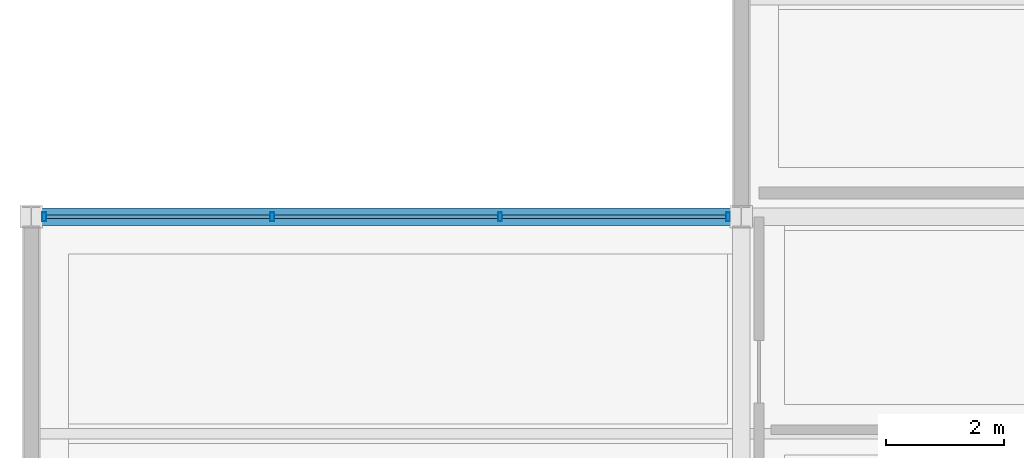
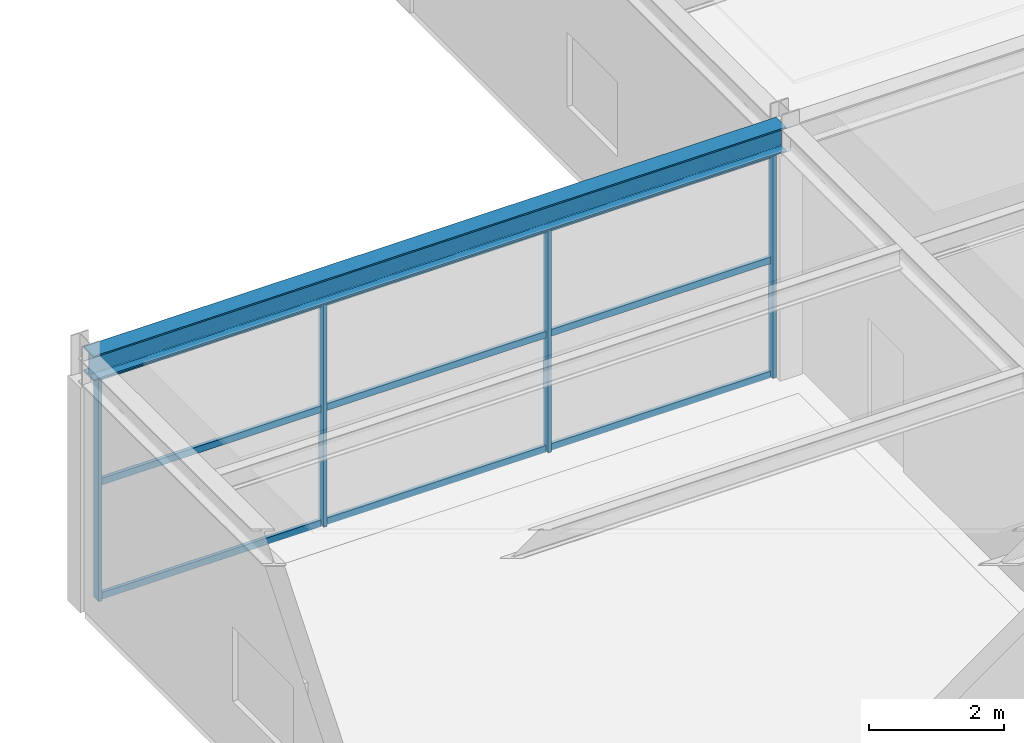
# One storey, part 44 of 100: 13 members, 1 beam, 1 element without a shape of its own.
"""IFC4 building model written with IfcOpenShell, lengths in metres."""

from ifc_helpers import new_model, si_unit, direction, frame, origin, origin_2d, place, context, subcontext, project, spatial, hollow_rectangle, i_section, extrude, material, material_profile, profile_set, type_object, element, aggregate, save


model = new_model("IFC4")

# Units and contexts
model_context = context("Model", 3, precision=1e-05, world=origin(), true_north=direction((0.0, 1.0)))
body_context = subcontext(model_context, "Body", "Model", "MODEL_VIEW")
ifc_project = project(units=[si_unit("LENGTHUNIT", "METRE"), si_unit("AREAUNIT", "SQUARE_METRE"), si_unit("VOLUMEUNIT", "CUBIC_METRE"), si_unit("PLANEANGLEUNIT", "RADIAN"), si_unit("MASSUNIT", "GRAM", prefix="KILO")], contexts=[model_context])

# Site, building, storey
site_placement = place(None, origin())
site = spatial("IfcSite", under=ifc_project, at=site_placement, CompositionType="ELEMENT")
building_placement = place(site_placement, origin())
building = spatial("IfcBuilding", under=site, at=building_placement, Name="Tarnveldt Headland Concert Hall", CompositionType="ELEMENT")
storey_placement = place(building_placement, frame((0.0, 0.0, 4.800048828125)))
storey = spatial("IfcBuildingStorey", under=building, at=storey_placement, Name="L01", CompositionType="ELEMENT", Elevation=4.800048828125)

# Curtain wall, members
ifc_material_1 = material(Name="Marine-anodised aluminium EN AW-6063-T6", Category="aluminium")
curtain_wall_type = type_object("IfcCurtainWallType", Name="CW-R2", PredefinedType="NOTDEFINED", material=ifc_material_1)
curtain_wall_placement = place(storey_placement, origin())
curtain_wall = element("IfcCurtainWall", 1, at=curtain_wall_placement, inside=storey, type_object=curtain_wall_type, Name="Curtain wall CW-L01-180", PredefinedType="NOTDEFINED")
ifc_material_profile_1 = material_profile(ifc_material_1, hollow_rectangle(XDim=0.06005859375, YDim=0.14990234375, WallThickness=0.00390625, at=origin_2d()), Name="ALU MULLION 60x150x4", Category="aluminium")
ifc_profile_set_1 = profile_set([ifc_material_profile_1], Name="Marine-anodised aluminium EN AW-6063-T6")
member_type_1 = type_object("IfcMemberType", Name="ML-150", PredefinedType="MULLION", material=ifc_profile_set_1)
member_1_placement = place(storey_placement, frame((19.280029296875, 93.0, 0.0), z_axis=(0.0, 0.0, 1.0), x_axis=(1.0, 0.0, 0.0)))
member_1 = element("IfcMember", 2, at=member_1_placement, type_object=member_type_1, Name="Mullion CW-L01-180-1", PredefinedType="MULLION", context=body_context, shape_type="SweptSolid", body=[
    extrude(hollow_rectangle(XDim=0.06005859375, YDim=0.14990234375, WallThickness=0.00390625, at=origin_2d()), origin(), (0.0, 0.0, 1.0), 4.077880859375),
])
member_2_placement = place(storey_placement, frame((15.4267578125, 93.0, 0.0), z_axis=(0.0, 0.0, 1.0), x_axis=(1.0, 0.0, 0.0)))
member_2 = element("IfcMember", 3, at=member_2_placement, type_object=member_type_1, Name="Mullion CW-L01-180-2", PredefinedType="MULLION", context=body_context, shape_type="SweptSolid", body=[
    extrude(hollow_rectangle(XDim=0.06005859375, YDim=0.14990234375, WallThickness=0.00390625, at=origin_2d()), origin(), (0.0, 0.0, 1.0), 4.077880859375),
])
member_3_placement = place(storey_placement, frame((11.5732421875, 93.0, 0.0), z_axis=(0.0, 0.0, 1.0), x_axis=(1.0, 0.0, 0.0)))
member_3 = element("IfcMember", 4, at=member_3_placement, type_object=member_type_1, Name="Mullion CW-L01-180-3", PredefinedType="MULLION", context=body_context, shape_type="SweptSolid", body=[
    extrude(hollow_rectangle(XDim=0.06005859375, YDim=0.14990234375, WallThickness=0.00390625, at=origin_2d()), origin(), (0.0, 0.0, 1.0), 4.077880859375),
])
member_4_placement = place(storey_placement, frame((7.719970703125, 93.0, 0.0), z_axis=(0.0, 0.0, 1.0), x_axis=(1.0, 0.0, 0.0)))
member_4 = element("IfcMember", 5, at=member_4_placement, type_object=member_type_1, Name="Mullion CW-L01-180-4", PredefinedType="MULLION", context=body_context, shape_type="SweptSolid", body=[
    extrude(hollow_rectangle(XDim=0.06005859375, YDim=0.14990234375, WallThickness=0.00390625, at=origin_2d()), origin(), (0.0, 0.0, 1.0), 4.077880859375),
])

# Beam
ifc_material_2 = material(Name="Steel S355", Category="steel")
ifc_material_profile_2 = material_profile(ifc_material_2, i_section(OverallWidth=0.300048828125, OverallDepth=0.449951171875, WebThickness=0.013916015625, FlangeThickness=0.02587890625, FilletRadius=0.027099609375, at=origin_2d()), Name="HEB450", Category="steel")
ifc_profile_set_2 = profile_set([ifc_material_profile_2], Name="Steel S355")
beam_type = type_object("IfcBeamType", Name="SB-HEB450", PredefinedType="BEAM", material=ifc_profile_set_2)
beam_placement = place(storey_placement, frame((7.56005859375, 93.0, 4.31494140625), z_axis=(1.0, 0.0, 0.0), x_axis=(0.0, 1.0, 0.0)))
element("IfcBeam", 6, at=beam_placement, inside=storey, type_object=beam_type, Name="Framing beam L01-929", PredefinedType="BEAM", context=body_context, shape_type="SweptSolid", body=[
    extrude(i_section(OverallWidth=0.300048828125, OverallDepth=0.449951171875, WebThickness=0.013916015625, FlangeThickness=0.02587890625, FilletRadius=0.027099609375, at=origin_2d()), origin(), (0.0, 0.0, 1.0), 11.8798828125),
])

# Member
ifc_material_profile_3 = material_profile(ifc_material_1, hollow_rectangle(XDim=0.06005859375, YDim=0.1201171875, WallThickness=0.00390625, at=origin_2d()), Name="ALU TRANSOM 60x120x4", Category="aluminium")
ifc_profile_set_3 = profile_set([ifc_material_profile_3], Name="Marine-anodised aluminium EN AW-6063-T6")
member_type_2 = type_object("IfcMemberType", Name="TR-110", PredefinedType="MEMBER", material=ifc_profile_set_3)
member_5_placement = place(storey_placement, frame((19.238037109375, 93.0, 0.050048828125), z_axis=(-1.0, 0.0, 0.0), x_axis=(0.0, -1.0, 0.0)))
member_5 = element("IfcMember", 7, at=member_5_placement, type_object=member_type_2, Name="Transom CW-L01-180-1-1", PredefinedType="MEMBER", context=body_context, shape_type="SweptSolid", body=[
    extrude(hollow_rectangle(XDim=0.06005859375, YDim=0.1201171875, WallThickness=0.00390625, at=origin_2d()), origin(), (0.0, 0.0, 1.0), 3.769287109375),
])

member_6_placement = place(storey_placement, frame((19.238037109375, 93.0, 2.12060546875), z_axis=(-1.0, 0.0, 0.0), x_axis=(0.0, -1.0, 0.0)))
member_6 = element("IfcMember", 8, at=member_6_placement, type_object=member_type_2, Name="Transom CW-L01-180-1-2", PredefinedType="MEMBER", context=body_context, shape_type="SweptSolid", body=[
    extrude(hollow_rectangle(XDim=0.06005859375, YDim=0.1201171875, WallThickness=0.00390625, at=origin_2d()), origin(), (0.0, 0.0, 1.0), 3.769287109375),
])

member_7_placement = place(storey_placement, frame((19.238037109375, 93.0, 4.02783203125), z_axis=(-1.0, 0.0, 0.0), x_axis=(0.0, -1.0, 0.0)))
member_7 = element("IfcMember", 9, at=member_7_placement, type_object=member_type_2, Name="Transom CW-L01-180-1-3", PredefinedType="MEMBER", context=body_context, shape_type="SweptSolid", body=[
    extrude(hollow_rectangle(XDim=0.06005859375, YDim=0.1201171875, WallThickness=0.00390625, at=origin_2d()), origin(), (0.0, 0.0, 1.0), 3.769287109375),
])

member_8_placement = place(storey_placement, frame((15.384765625, 93.0, 0.050048828125), z_axis=(-1.0, 0.0, 0.0), x_axis=(0.0, -1.0, 0.0)))
member_8 = element("IfcMember", 10, at=member_8_placement, type_object=member_type_2, Name="Transom CW-L01-180-2-1", PredefinedType="MEMBER", context=body_context, shape_type="SweptSolid", body=[
    extrude(hollow_rectangle(XDim=0.06005859375, YDim=0.1201171875, WallThickness=0.00390625, at=origin_2d()), origin(), (0.0, 0.0, 1.0), 3.76953125),
])

member_9_placement = place(storey_placement, frame((15.384765625, 93.0, 2.12060546875), z_axis=(-1.0, 0.0, 0.0), x_axis=(0.0, -1.0, 0.0)))
member_9 = element("IfcMember", 11, at=member_9_placement, type_object=member_type_2, Name="Transom CW-L01-180-2-2", PredefinedType="MEMBER", context=body_context, shape_type="SweptSolid", body=[
    extrude(hollow_rectangle(XDim=0.06005859375, YDim=0.1201171875, WallThickness=0.00390625, at=origin_2d()), origin(), (0.0, 0.0, 1.0), 3.76953125),
])

member_10_placement = place(storey_placement, frame((15.384765625, 93.0, 4.02783203125), z_axis=(-1.0, 0.0, 0.0), x_axis=(0.0, -1.0, 0.0)))
member_10 = element("IfcMember", 12, at=member_10_placement, type_object=member_type_2, Name="Transom CW-L01-180-2-3", PredefinedType="MEMBER", context=body_context, shape_type="SweptSolid", body=[
    extrude(hollow_rectangle(XDim=0.06005859375, YDim=0.1201171875, WallThickness=0.00390625, at=origin_2d()), origin(), (0.0, 0.0, 1.0), 3.76953125),
])

member_11_placement = place(storey_placement, frame((11.53125, 93.0, 0.050048828125), z_axis=(-1.0, 0.0, 0.0), x_axis=(0.0, -1.0, 0.0)))
member_11 = element("IfcMember", 13, at=member_11_placement, type_object=member_type_2, Name="Transom CW-L01-180-3-1", PredefinedType="MEMBER", context=body_context, shape_type="SweptSolid", body=[
    extrude(hollow_rectangle(XDim=0.06005859375, YDim=0.1201171875, WallThickness=0.00390625, at=origin_2d()), origin(), (0.0, 0.0, 1.0), 3.769287109375),
])

member_12_placement = place(storey_placement, frame((11.53125, 93.0, 2.12060546875), z_axis=(-1.0, 0.0, 0.0), x_axis=(0.0, -1.0, 0.0)))
member_12 = element("IfcMember", 14, at=member_12_placement, type_object=member_type_2, Name="Transom CW-L01-180-3-2", PredefinedType="MEMBER", context=body_context, shape_type="SweptSolid", body=[
    extrude(hollow_rectangle(XDim=0.06005859375, YDim=0.1201171875, WallThickness=0.00390625, at=origin_2d()), origin(), (0.0, 0.0, 1.0), 3.769287109375),
])

member_13_placement = place(storey_placement, frame((11.53125, 93.0, 4.02783203125), z_axis=(-1.0, 0.0, 0.0), x_axis=(0.0, -1.0, 0.0)))
member_13 = element("IfcMember", 15, at=member_13_placement, type_object=member_type_2, Name="Transom CW-L01-180-3-3", PredefinedType="MEMBER", context=body_context, shape_type="SweptSolid", body=[
    extrude(hollow_rectangle(XDim=0.06005859375, YDim=0.1201171875, WallThickness=0.00390625, at=origin_2d()), origin(), (0.0, 0.0, 1.0), 3.769287109375),
])

aggregate(curtain_wall, [member_1, member_2, member_3, member_4, member_5, member_6, member_7, member_8, member_9, member_10, member_11, member_12, member_13])

save(model, "model.ifc")
